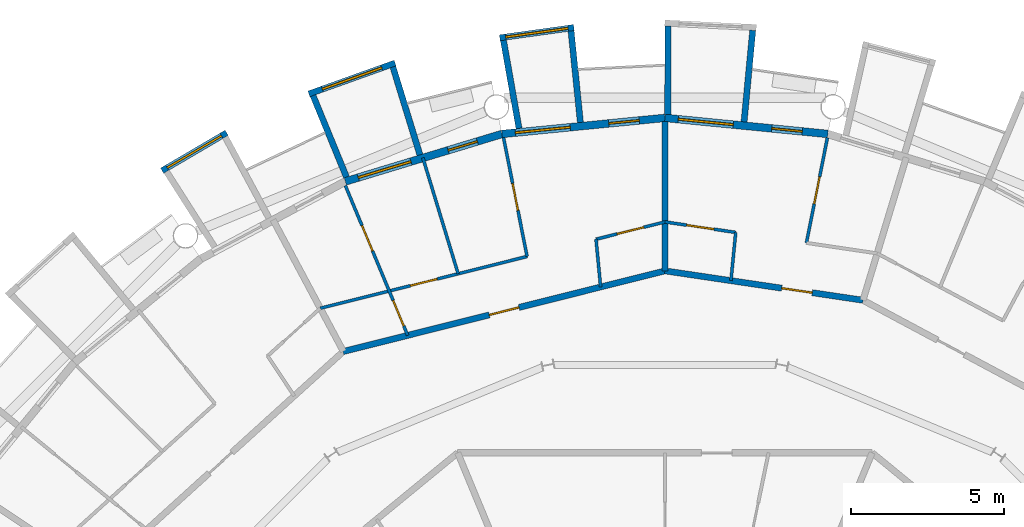
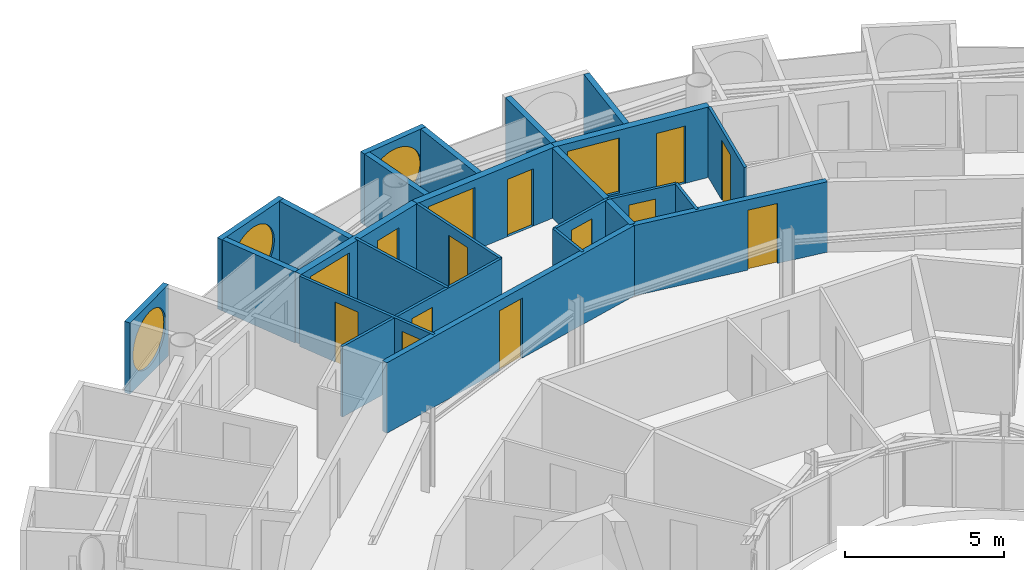
# One storey, part 22 of 29: 24 walls, 12 doors, 6 windows, 18 openings.
"""IFC4 building model written with IfcOpenShell, lengths in metres."""

from ifc_helpers import new_model, si_unit, direction, frame, frame_2d, origin, place, context, subcontext, project, spatial, rectangle, circle, extrude, material, layer, layer_set, type_object, element, fill, save


model = new_model("IFC4")

# Units and contexts
model_context = context("Model", 3, precision=1e-05, world=origin(), true_north=direction((0.0, 1.0)))
body_context = subcontext(model_context, "Body", "Model", "MODEL_VIEW")
ifc_project = project(units=[si_unit("LENGTHUNIT", "METRE"), si_unit("AREAUNIT", "SQUARE_METRE"), si_unit("VOLUMEUNIT", "CUBIC_METRE"), si_unit("PLANEANGLEUNIT", "RADIAN"), si_unit("MASSUNIT", "GRAM", prefix="KILO")], contexts=[model_context])

# Site, building, storey
site_placement = place(None, origin())
site = spatial("IfcSite", under=ifc_project, at=site_placement, CompositionType="ELEMENT")
building_placement = place(site_placement, origin())
building = spatial("IfcBuilding", under=site, at=building_placement, Name="Maasbend Ring Residences", CompositionType="ELEMENT")
storey_placement = place(building_placement, frame((0.0, 0.0, 215.75)))
storey = spatial("IfcBuildingStorey", under=building, at=storey_placement, Name="L62", CompositionType="ELEMENT", Elevation=215.75)

# Wall, opening, door
ifc_material_1 = material(Name="Concrete C30/37", Category="concrete")
ifc_layer_1 = layer(ifc_material_1, 0.199951171875)
ifc_layer_set_1 = layer_set([ifc_layer_1], Name="Concrete C30/37")
wall_type_1 = type_object("IfcWallType", Name="CORRIDOR WALL 200 CONCRETE", PredefinedType="PARTITIONING", material=ifc_layer_set_1)
wall_1_placement = place(storey_placement, frame((-10.52099609375, 19.662109375, 0.0), z_axis=(0.0, 0.0, 1.0), x_axis=(0.969975443945, 0.243202874456, 0.0)))
wall_1 = element("IfcWall", 1, at=wall_1_placement, inside=storey, type_object=wall_type_1, Name="U-L62-w111", PredefinedType="PARTITIONING", context=body_context, shape_type="SweptSolid", body=[
    extrude(rectangle(XDim=10.8466796875, YDim=0.199951171875, at=frame_2d((5.42333984375, 0.0))), origin(), (0.0, 0.0, 1.0), 2.699951171875),
])
opening_1_placement = place(wall_1_placement, frame((4.927978515625, 0.0, 0.0)))
opening_1 = element("IfcOpeningElement", 2, at=opening_1_placement, cuts=wall_1, Name="Opening D-6211", PredefinedType="OPENING", context=body_context, shape_type="SweptSolid", body=[
    extrude(rectangle(XDim=1.0, YDim=2.300048828125, at=frame_2d((0.5, 1.14990234375))), frame((0.0, 0.10986328125, 0.0), z_axis=(0.0, -1.0, 0.0), x_axis=(1.0, 0.0, 0.0)), (0.0, 0.0, 1.0), 0.219970703125),
])
ifc_material_2 = material(Name="Timber, fire-rated, painted", Category="wood")
door_type_1 = type_object("IfcDoorType", Name="FLAT ENTRANCE DOOR 1000 X 2300 FIRE-RATED", OperationType="NOTDEFINED", PredefinedType="DOOR", material=ifc_material_2)
door_1_placement = place(opening_1_placement, origin())
door_1 = element("IfcDoor", 3, at=door_1_placement, inside=storey, type_object=door_type_1, Name="D-6211", OperationType="SINGLE_SWING_RIGHT", OverallHeight=2.300048828125, OverallWidth=1.0, PredefinedType="DOOR", context=body_context, shape_type="SweptSolid", body=[
    extrude(rectangle(XDim=1.0, YDim=2.300048828125, at=frame_2d((0.5, 1.14990234375))), frame((0.0, 0.02490234375, 0.0), z_axis=(0.0, -1.0, 0.0), x_axis=(1.0, 0.0, 0.0)), (0.0, 0.0, 1.0), 0.050048828125),
])
fill(opening_1, door_1)

wall_2_placement = place(storey_placement, frame((0.0, 22.300048828125, 0.0), z_axis=(0.0, 0.0, 1.0), x_axis=(0.989181015112, -0.146700100005, 0.0)))
wall_2 = element("IfcWall", 4, at=wall_2_placement, inside=storey, type_object=wall_type_1, Name="U-L62-w115", PredefinedType="PARTITIONING", context=body_context, shape_type="SweptSolid", body=[
    extrude(rectangle(XDim=6.543701171875, YDim=0.199951171875, at=frame_2d((3.27197265625, 0.0))), origin(), (0.0, 0.0, 1.0), 2.699951171875),
])
opening_2_placement = place(wall_2_placement, frame((3.863037109375, 0.0, 0.0)))
opening_2 = element("IfcOpeningElement", 5, at=opening_2_placement, cuts=wall_2, Name="Opening D-6208", PredefinedType="OPENING", context=body_context, shape_type="SweptSolid", body=[
    extrude(rectangle(XDim=1.0, YDim=2.300048828125, at=frame_2d((0.5, 1.14990234375))), frame((0.0, 0.10986328125, 0.0), z_axis=(0.0, -1.0, 0.0), x_axis=(1.0, 0.0, 0.0)), (0.0, 0.0, 1.0), 0.219970703125),
])
door_2_placement = place(opening_2_placement, origin())
door_2 = element("IfcDoor", 6, at=door_2_placement, inside=storey, type_object=door_type_1, Name="D-6208", OperationType="SINGLE_SWING_RIGHT", OverallHeight=2.300048828125, OverallWidth=1.0, PredefinedType="DOOR", context=body_context, shape_type="SweptSolid", body=[
    extrude(rectangle(XDim=1.0, YDim=2.300048828125, at=frame_2d((0.5, 1.14990234375))), frame((0.0, 0.02490234375, 0.0), z_axis=(0.0, -1.0, 0.0), x_axis=(1.0, 0.0, 0.0)), (0.0, 0.0, 1.0), 0.050048828125),
])
fill(opening_2, door_2)

# Walls
ifc_material_3 = material(Name="Pale anodised aluminium panel", Category="aluminium")
ifc_layer_2 = layer(ifc_material_3, 0.199951171875)
ifc_layer_set_2 = layer_set([ifc_layer_2], Name="EW-BOX")
wall_type_2 = type_object("IfcWallType", Name="EW-BOX", PredefinedType="SOLIDWALL", material=ifc_layer_set_2)
wall_3_placement = place(storey_placement, frame((2.5859375, 27.1708984375, -0.030029296875), z_axis=(0.0, 0.0, 1.0), x_axis=(0.094548432284, 0.995520262954, 0.0)))
element("IfcWall", 7, at=wall_3_placement, inside=storey, type_object=wall_type_2, Name="Box side wall N10 left", PredefinedType="SOLIDWALL", context=body_context, shape_type="SweptSolid", body=[
    extrude(rectangle(XDim=3.005615234375, YDim=0.199951171875, at=frame_2d((1.5029296875, 0.0))), origin(), (0.0, 0.0, 1.0), 2.72998046875),
])
wall_4_placement = place(storey_placement, frame((0.090087890625, 27.4169921875, -0.030029296875), z_axis=(0.0, 0.0, 1.0), x_axis=(0.00347308367, 0.999993968827, 0.0)))
element("IfcWall", 8, at=wall_4_placement, inside=storey, type_object=wall_type_2, Name="Box side wall N10 right", PredefinedType="SOLIDWALL", context=body_context, shape_type="SweptSolid", body=[
    extrude(rectangle(XDim=2.882080078125, YDim=0.199951171875, at=frame_2d((1.44091796875, 0.0))), origin(), (0.0, 0.0, 1.0), 2.72998046875),
])

# Wall, opening, window
wall_5_placement = place(storey_placement, frame((-2.97607421875, 30.25390625, -0.030029296875), z_axis=(0.0, 0.0, 1.0), x_axis=(-0.990462016113, -0.137786046596, 0.0)))
wall_5 = element("IfcWall", 9, at=wall_5_placement, inside=storey, type_object=wall_type_2, Name="Box front N12", PredefinedType="SOLIDWALL", context=body_context, shape_type="SweptSolid", body=[
    extrude(rectangle(XDim=2.4453125, YDim=0.199951171875, at=frame_2d((1.22265625, 0.0))), origin(), (0.0, 0.0, 1.0), 2.72998046875),
])
opening_3_placement = place(wall_5_placement, frame((0.182861328125, 0.0, 0.330078125)))
opening_3 = element("IfcOpeningElement", 10, at=opening_3_placement, cuts=wall_5, Name="Opening W-RD", PredefinedType="OPENING", context=body_context, shape_type="SweptSolid", body=[
    extrude(circle(Radius=1.0400390625, at=frame_2d((1.0400390625, 1.0400390625))), frame((0.0, 0.10986328125, 0.0), z_axis=(0.0, -1.0, 0.0), x_axis=(1.0, 0.0, 0.0)), (0.0, 0.0, 1.0), 0.219970703125),
])
ifc_material_4 = material(Name="Aluminium and clear glass", Category="aluminium")
window_type_1 = type_object("IfcWindowType", Name="W-RD", PartitioningType="SINGLE_PANEL", PredefinedType="WINDOW", material=ifc_material_4)
window_1_placement = place(opening_3_placement, origin())
window_1 = element("IfcWindow", 11, at=window_1_placement, inside=storey, type_object=window_type_1, Name="Round window N12", OverallHeight=2.080078125, OverallWidth=2.080078125, PartitioningType="SINGLE_PANEL", PredefinedType="WINDOW", context=body_context, shape_type="SweptSolid", body=[
    extrude(circle(Radius=1.0400390625, at=frame_2d((1.0400390625, 1.0400390625))), frame((0.0, 0.030029296875, 0.0), z_axis=(0.0, -1.0, 0.0), x_axis=(1.0, 0.0, 0.0)), (0.0, 0.0, 1.0), 0.06005859375),
])
fill(opening_3, window_1)

# Walls
wall_6_placement = place(storey_placement, frame((-2.763916015625, 27.153076171875, -0.030029296875), z_axis=(0.0, 0.0, 1.0), x_axis=(-0.101505487237, 0.994834979311, 0.0)))
element("IfcWall", 12, at=wall_6_placement, inside=storey, type_object=wall_type_2, Name="Box side wall N12 left", PredefinedType="SOLIDWALL", context=body_context, shape_type="SweptSolid", body=[
    extrude(rectangle(XDim=3.006591796875, YDim=0.199951171875, at=frame_2d((1.50341796875, 0.0))), origin(), (0.0, 0.0, 1.0), 2.72998046875),
])
wall_7_placement = place(storey_placement, frame((-4.76904296875, 26.9560546875, -0.030029296875), z_axis=(0.0, 0.0, 1.0), x_axis=(-0.174056778901, 0.984735618183, 0.0)))
element("IfcWall", 13, at=wall_7_placement, inside=storey, type_object=wall_type_2, Name="Box side wall N12 right", PredefinedType="SOLIDWALL", context=body_context, shape_type="SweptSolid", body=[
    extrude(rectangle(XDim=2.924560546875, YDim=0.199951171875, at=frame_2d((1.46240234375, 0.0))), origin(), (0.0, 0.0, 1.0), 2.72998046875),
])

# Wall, opening, window
wall_8_placement = place(storey_placement, frame((-8.820068359375, 29.093017578125, -0.030029296875), z_axis=(0.0, 0.0, 1.0), x_axis=(-0.941461077774, -0.337121697664, 0.0)))
wall_8 = element("IfcWall", 14, at=wall_8_placement, inside=storey, type_object=wall_type_2, Name="Box front N14", PredefinedType="SOLIDWALL", context=body_context, shape_type="SweptSolid", body=[
    extrude(rectangle(XDim=2.9931640625, YDim=0.199951171875, at=frame_2d((1.49658203125, 0.0))), origin(), (0.0, 0.0, 1.0), 2.72998046875),
])
opening_4_placement = place(wall_8_placement, frame((0.45654296875, 0.0, 0.330078125)))
opening_4 = element("IfcOpeningElement", 15, at=opening_4_placement, cuts=wall_8, Name="Opening W-RD", PredefinedType="OPENING", context=body_context, shape_type="SweptSolid", body=[
    extrude(circle(Radius=1.0400390625, at=frame_2d((1.0400390625, 1.0400390625))), frame((0.0, 0.10986328125, 0.0), z_axis=(0.0, -1.0, 0.0), x_axis=(1.0, 0.0, 0.0)), (0.0, 0.0, 1.0), 0.219970703125),
])
window_2_placement = place(opening_4_placement, origin())
window_2 = element("IfcWindow", 16, at=window_2_placement, inside=storey, type_object=window_type_1, Name="Round window N14", OverallHeight=2.080078125, OverallWidth=2.080078125, PartitioningType="SINGLE_PANEL", PredefinedType="WINDOW", context=body_context, shape_type="SweptSolid", body=[
    extrude(circle(Radius=1.0400390625, at=frame_2d((1.0400390625, 1.0400390625))), frame((0.0, 0.030029296875, 0.0), z_axis=(0.0, -1.0, 0.0), x_axis=(1.0, 0.0, 0.0)), (0.0, 0.0, 1.0), 0.06005859375),
])
fill(opening_4, window_2)

# Walls
wall_9_placement = place(storey_placement, frame((-8.009033203125, 26.092041015625, -0.030029296875), z_axis=(0.0, 0.0, 1.0), x_axis=(-0.293406695073, 0.955987715029, 0.0)))
element("IfcWall", 17, at=wall_9_placement, inside=storey, type_object=wall_type_2, Name="Box side wall N14 left", PredefinedType="SOLIDWALL", context=body_context, shape_type="SweptSolid", body=[
    extrude(rectangle(XDim=3.00634765625, YDim=0.199951171875, at=frame_2d((1.503173828125, 0.0))), origin(), (0.0, 0.0, 1.0), 2.72998046875),
])
wall_10_placement = place(storey_placement, frame((-10.408935546875, 25.364013671875, -0.030029296875), z_axis=(0.0, 0.0, 1.0), x_axis=(-0.379509886562, 0.925187681501, 0.0)))
element("IfcWall", 18, at=wall_10_placement, inside=storey, type_object=wall_type_2, Name="Box side wall N14 right", PredefinedType="SOLIDWALL", context=body_context, shape_type="SweptSolid", body=[
    extrude(rectangle(XDim=2.882568359375, YDim=0.199951171875, at=frame_2d((1.44140625, 0.0))), origin(), (0.0, 0.0, 1.0), 2.72998046875),
])

# Wall, opening, window
wall_11_placement = place(storey_placement, frame((-14.326904296875, 26.81201171875, -0.030029296875), z_axis=(0.0, 0.0, 1.0), x_axis=(-0.862403467503, -0.506221551535, 0.0)))
wall_11 = element("IfcWall", 19, at=wall_11_placement, inside=storey, type_object=wall_type_2, Name="Box front N16", PredefinedType="SOLIDWALL", context=body_context, shape_type="SweptSolid", body=[
    extrude(rectangle(XDim=2.445556640625, YDim=0.199951171875, at=frame_2d((1.22265625, 0.0))), origin(), (0.0, 0.0, 1.0), 2.72998046875),
])
opening_5_placement = place(wall_11_placement, frame((0.182861328125, 0.0, 0.330078125)))
opening_5 = element("IfcOpeningElement", 20, at=opening_5_placement, cuts=wall_11, Name="Opening W-RD", PredefinedType="OPENING", context=body_context, shape_type="SweptSolid", body=[
    extrude(circle(Radius=1.0400390625, at=frame_2d((1.0400390625, 1.0400390625))), frame((0.0, 0.10986328125, 0.0), z_axis=(0.0, -1.0, 0.0), x_axis=(1.0, 0.0, 0.0)), (0.0, 0.0, 1.0), 0.219970703125),
])
window_3_placement = place(opening_5_placement, origin())
window_3 = element("IfcWindow", 21, at=window_3_placement, inside=storey, type_object=window_type_1, Name="Round window N16", OverallHeight=2.080078125, OverallWidth=2.080078125, PartitioningType="SINGLE_PANEL", PredefinedType="WINDOW", context=body_context, shape_type="SweptSolid", body=[
    extrude(circle(Radius=1.0400390625, at=frame_2d((1.0400390625, 1.0400390625))), frame((0.0, 0.030029296875, 0.0), z_axis=(0.0, -1.0, 0.0), x_axis=(1.0, 0.0, 0.0)), (0.0, 0.0, 1.0), 0.06005859375),
])
fill(opening_5, window_3)

# Wall, openings, door, window
ifc_material_5 = material(Name="Aluminium clad insulated panel", Category="aluminium")
ifc_layer_3 = layer(ifc_material_5, 0.25)
ifc_layer_set_3 = layer_set([ifc_layer_3], Name="EW-GL")
wall_type_3 = type_object("IfcWallType", Name="EW-GL", PredefinedType="SOLIDWALL", material=ifc_layer_set_3)
wall_12_placement = place(storey_placement, frame((5.325927734375, 26.77490234375, 0.0), z_axis=(0.0, 0.0, 1.0), x_axis=(-0.995173996315, 0.098126026407, 0.0)))
wall_12 = element("IfcWall", 22, at=wall_12_placement, inside=storey, type_object=wall_type_3, Name="External wall N05", PredefinedType="SOLIDWALL", context=body_context, shape_type="SweptSolid", body=[
    extrude(rectangle(XDim=5.351806640625, YDim=0.25, at=frame_2d((2.67578125, 0.0))), origin(), (0.0, 0.0, 1.0), 2.699951171875),
])
opening_6_placement = place(wall_12_placement, frame((0.841064453125, 0.0, 0.0)))
opening_6 = element("IfcOpeningElement", 23, at=opening_6_placement, cuts=wall_12, Name="Opening D-LG", PredefinedType="OPENING", context=body_context, shape_type="SweptSolid", body=[
    extrude(rectangle(XDim=1.0, YDim=2.199951171875, at=frame_2d((0.5, 1.10009765625))), frame((0.0, 0.135009765625, 0.0), z_axis=(0.0, -1.0, 0.0), x_axis=(1.0, 0.0, 0.0)), (0.0, 0.0, 1.0), 0.27001953125),
])
opening_7_placement = place(wall_12_placement, frame((3.110595703125, 0.0, 0.300048828125)))
opening_7 = element("IfcOpeningElement", 24, at=opening_7_placement, cuts=wall_12, Name="Opening W-BX", PredefinedType="OPENING", context=body_context, shape_type="SweptSolid", body=[
    extrude(rectangle(XDim=1.800048828125, YDim=2.10009765625, at=frame_2d((0.89990234375, 1.050048828125))), frame((0.0, 0.135009765625, 0.0), z_axis=(0.0, -1.0, 0.0), x_axis=(1.0, 0.0, 0.0)), (0.0, 0.0, 1.0), 0.27001953125),
])
ifc_material_6 = material(Name="Aluminium and clear glass", Category="aluminium")
door_type_2 = type_object("IfcDoorType", Name="D-LG", OperationType="SINGLE_SWING_LEFT", PredefinedType="DOOR", material=ifc_material_6)
door_3_placement = place(opening_6_placement, origin())
door_3 = element("IfcDoor", 25, at=door_3_placement, inside=storey, type_object=door_type_2, Name="Loggia door N09", OperationType="SINGLE_SWING_LEFT", OverallHeight=2.199951171875, OverallWidth=1.0, PredefinedType="DOOR", context=body_context, shape_type="SweptSolid", body=[
    extrude(rectangle(XDim=1.0, YDim=2.199951171875, at=frame_2d((0.5, 1.10009765625))), frame((0.0, 0.02490234375, 0.0), z_axis=(0.0, -1.0, 0.0), x_axis=(1.0, 0.0, 0.0)), (0.0, 0.0, 1.0), 0.050048828125),
])
fill(opening_6, door_3)
ifc_material_7 = material(Name="Aluminium and clear glass", Category="aluminium")
window_type_2 = type_object("IfcWindowType", Name="W-BX", PartitioningType="DOUBLE_PANEL_VERTICAL", PredefinedType="WINDOW", material=ifc_material_7)
window_4_placement = place(opening_7_placement, origin())
window_4 = element("IfcWindow", 26, at=window_4_placement, inside=storey, type_object=window_type_2, Name="Window N10 room to box", OverallHeight=2.10009765625, OverallWidth=1.800048828125, PartitioningType="SINGLE_PANEL", PredefinedType="WINDOW", context=body_context, shape_type="SweptSolid", body=[
    extrude(rectangle(XDim=1.800048828125, YDim=2.10009765625, at=frame_2d((0.89990234375, 1.050048828125))), frame((0.0, 0.030029296875, 0.0), z_axis=(0.0, -1.0, 0.0), x_axis=(1.0, 0.0, 0.0)), (0.0, 0.0, 1.0), 0.06005859375),
])
fill(opening_7, window_4)

wall_13_placement = place(storey_placement, frame((0.0, 27.300048828125, 0.0), z_axis=(0.0, 0.0, 1.0), x_axis=(-0.995173996315, -0.098126026407, 0.0)))
wall_13 = element("IfcWall", 27, at=wall_13_placement, inside=storey, type_object=wall_type_3, Name="External wall N06", PredefinedType="SOLIDWALL", context=body_context, shape_type="SweptSolid", body=[
    extrude(rectangle(XDim=5.351806640625, YDim=0.25, at=frame_2d((2.67578125, 0.0))), origin(), (0.0, 0.0, 1.0), 2.699951171875),
])
opening_8_placement = place(wall_13_placement, frame((0.841064453125, 0.0, 0.0)))
opening_8 = element("IfcOpeningElement", 28, at=opening_8_placement, cuts=wall_13, Name="Opening D-LG", PredefinedType="OPENING", context=body_context, shape_type="SweptSolid", body=[
    extrude(rectangle(XDim=1.0, YDim=2.199951171875, at=frame_2d((0.5, 1.10009765625))), frame((0.0, 0.135009765625, 0.0), z_axis=(0.0, -1.0, 0.0), x_axis=(1.0, 0.0, 0.0)), (0.0, 0.0, 1.0), 0.27001953125),
])
opening_9_placement = place(wall_13_placement, frame((3.110595703125, 0.0, 0.300048828125)))
opening_9 = element("IfcOpeningElement", 29, at=opening_9_placement, cuts=wall_13, Name="Opening W-BX", PredefinedType="OPENING", context=body_context, shape_type="SweptSolid", body=[
    extrude(rectangle(XDim=1.800048828125, YDim=2.10009765625, at=frame_2d((0.89990234375, 1.050048828125))), frame((0.0, 0.135009765625, 0.0), z_axis=(0.0, -1.0, 0.0), x_axis=(1.0, 0.0, 0.0)), (0.0, 0.0, 1.0), 0.27001953125),
])
door_4_placement = place(opening_8_placement, origin())
door_4 = element("IfcDoor", 30, at=door_4_placement, inside=storey, type_object=door_type_2, Name="Loggia door N11", OperationType="SINGLE_SWING_LEFT", OverallHeight=2.199951171875, OverallWidth=1.0, PredefinedType="DOOR", context=body_context, shape_type="SweptSolid", body=[
    extrude(rectangle(XDim=1.0, YDim=2.199951171875, at=frame_2d((0.5, 1.10009765625))), frame((0.0, 0.02490234375, 0.0), z_axis=(0.0, -1.0, 0.0), x_axis=(1.0, 0.0, 0.0)), (0.0, 0.0, 1.0), 0.050048828125),
])
fill(opening_8, door_4)
window_5_placement = place(opening_9_placement, origin())
window_5 = element("IfcWindow", 31, at=window_5_placement, inside=storey, type_object=window_type_2, Name="Window N12 room to box", OverallHeight=2.10009765625, OverallWidth=1.800048828125, PartitioningType="SINGLE_PANEL", PredefinedType="WINDOW", context=body_context, shape_type="SweptSolid", body=[
    extrude(rectangle(XDim=1.800048828125, YDim=2.10009765625, at=frame_2d((0.89990234375, 1.050048828125))), frame((0.0, 0.030029296875, 0.0), z_axis=(0.0, -1.0, 0.0), x_axis=(1.0, 0.0, 0.0)), (0.0, 0.0, 1.0), 0.06005859375),
])
fill(opening_9, window_5)

wall_14_placement = place(storey_placement, frame((-5.325927734375, 26.77490234375, 0.0), z_axis=(0.0, 0.0, 1.0), x_axis=(-0.956965678721, -0.290201119486, 0.0)))
wall_14 = element("IfcWall", 32, at=wall_14_placement, inside=storey, type_object=wall_type_3, Name="External wall N07", PredefinedType="SOLIDWALL", context=body_context, shape_type="SweptSolid", body=[
    extrude(rectangle(XDim=5.351318359375, YDim=0.25, at=frame_2d((2.67578125, 0.0))), origin(), (0.0, 0.0, 1.0), 2.699951171875),
])
opening_10_placement = place(wall_14_placement, frame((0.841064453125, 0.0, 0.0)))
opening_10 = element("IfcOpeningElement", 33, at=opening_10_placement, cuts=wall_14, Name="Opening D-LG", PredefinedType="OPENING", context=body_context, shape_type="SweptSolid", body=[
    extrude(rectangle(XDim=1.0, YDim=2.199951171875, at=frame_2d((0.5, 1.10009765625))), frame((0.0, 0.135009765625, 0.0), z_axis=(0.0, -1.0, 0.0), x_axis=(1.0, 0.0, 0.0)), (0.0, 0.0, 1.0), 0.27001953125),
])
opening_11_placement = place(wall_14_placement, frame((3.110595703125, 0.0, 0.300048828125)))
opening_11 = element("IfcOpeningElement", 34, at=opening_11_placement, cuts=wall_14, Name="Opening W-BX", PredefinedType="OPENING", context=body_context, shape_type="SweptSolid", body=[
    extrude(rectangle(XDim=1.800048828125, YDim=2.10009765625, at=frame_2d((0.89990234375, 1.050048828125))), frame((0.0, 0.135009765625, 0.0), z_axis=(0.0, -1.0, 0.0), x_axis=(1.0, 0.0, 0.0)), (0.0, 0.0, 1.0), 0.27001953125),
])
door_5_placement = place(opening_10_placement, origin())
door_5 = element("IfcDoor", 35, at=door_5_placement, inside=storey, type_object=door_type_2, Name="Loggia door N13", OperationType="SINGLE_SWING_LEFT", OverallHeight=2.199951171875, OverallWidth=1.0, PredefinedType="DOOR", context=body_context, shape_type="SweptSolid", body=[
    extrude(rectangle(XDim=1.0, YDim=2.199951171875, at=frame_2d((0.5, 1.10009765625))), frame((0.0, 0.02490234375, 0.0), z_axis=(0.0, -1.0, 0.0), x_axis=(1.0, 0.0, 0.0)), (0.0, 0.0, 1.0), 0.050048828125),
])
fill(opening_10, door_5)
window_6_placement = place(opening_11_placement, origin())
window_6 = element("IfcWindow", 36, at=window_6_placement, inside=storey, type_object=window_type_2, Name="Window N14 room to box", OverallHeight=2.10009765625, OverallWidth=1.800048828125, PartitioningType="SINGLE_PANEL", PredefinedType="WINDOW", context=body_context, shape_type="SweptSolid", body=[
    extrude(rectangle(XDim=1.800048828125, YDim=2.10009765625, at=frame_2d((0.89990234375, 1.050048828125))), frame((0.0, 0.030029296875, 0.0), z_axis=(0.0, -1.0, 0.0), x_axis=(1.0, 0.0, 0.0)), (0.0, 0.0, 1.0), 0.06005859375),
])
fill(opening_11, window_6)

# Wall, openings, doors
ifc_material_8 = material(Name="Gypsum board on steel studs", Category="steel")
ifc_layer_4 = layer(ifc_material_8, 0.10009765625)
ifc_layer_set_4 = layer_set([ifc_layer_4], Name="PARTITION 100 GYPSUM")
wall_type_4 = type_object("IfcWallType", Name="PARTITION 100 GYPSUM", PredefinedType="PARTITIONING", material=ifc_layer_set_4)
wall_15_placement = place(storey_placement, frame((-10.446044921875, 25.0859375, 0.0), z_axis=(0.0, 0.0, 1.0), x_axis=(0.38420646001, -0.923247202046, 0.0)))
wall_15 = element("IfcWall", 37, at=wall_15_placement, inside=storey, type_object=wall_type_4, Name="U-L62-w034", PredefinedType="PARTITIONING", context=body_context, shape_type="SweptSolid", body=[
    extrude(rectangle(XDim=5.299560546875, YDim=0.10009765625, at=frame_2d((2.64990234375, 0.0))), origin(), (0.0, 0.0, 1.0), 2.699951171875),
])
opening_12_placement = place(wall_15_placement, frame((4.06494140625, 0.0, 0.0)))
opening_12 = element("IfcOpeningElement", 38, at=opening_12_placement, cuts=wall_15, Name="Opening D-6213", PredefinedType="OPENING", context=body_context, shape_type="SweptSolid", body=[
    extrude(rectangle(XDim=0.89990234375, YDim=2.300048828125, at=frame_2d((0.449951171875, 1.14990234375))), frame((0.0, 0.06005859375, 0.0), z_axis=(0.0, -1.0, 0.0), x_axis=(1.0, 0.0, 0.0)), (0.0, 0.0, 1.0), 0.1201171875),
])
opening_13_placement = place(wall_15_placement, frame((1.4150390625, 0.0, 0.0)))
opening_13 = element("IfcOpeningElement", 39, at=opening_13_placement, cuts=wall_15, Name="Opening D-6216", PredefinedType="OPENING", context=body_context, shape_type="SweptSolid", body=[
    extrude(rectangle(XDim=0.89990234375, YDim=2.300048828125, at=frame_2d((0.449951171875, 1.14990234375))), frame((0.0, 0.06005859375, 0.0), z_axis=(0.0, -1.0, 0.0), x_axis=(1.0, 0.0, 0.0)), (0.0, 0.0, 1.0), 0.1201171875),
])
ifc_material_9 = material(Name="Timber, painted", Category="wood")
door_type_3 = type_object("IfcDoorType", Name="INTERNAL DOOR 900 X 2300", OperationType="NOTDEFINED", PredefinedType="DOOR", material=ifc_material_9)
door_6_placement = place(opening_12_placement, origin())
door_6 = element("IfcDoor", 40, at=door_6_placement, inside=storey, type_object=door_type_3, Name="D-6213", OperationType="SINGLE_SWING_RIGHT", OverallHeight=2.300048828125, OverallWidth=0.89990234375, PredefinedType="DOOR", context=body_context, shape_type="SweptSolid", body=[
    extrude(rectangle(XDim=0.89990234375, YDim=2.300048828125, at=frame_2d((0.449951171875, 1.14990234375))), frame((0.0, 0.02490234375, 0.0), z_axis=(0.0, -1.0, 0.0), x_axis=(1.0, 0.0, 0.0)), (0.0, 0.0, 1.0), 0.050048828125),
])
fill(opening_12, door_6)
door_7_placement = place(opening_13_placement, origin())
door_7 = element("IfcDoor", 41, at=door_7_placement, inside=storey, type_object=door_type_3, Name="D-6216", OperationType="SINGLE_SWING_LEFT", OverallHeight=2.300048828125, OverallWidth=0.89990234375, PredefinedType="DOOR", context=body_context, shape_type="SweptSolid", body=[
    extrude(rectangle(XDim=0.89990234375, YDim=2.300048828125, at=frame_2d((0.449951171875, 1.14990234375))), frame((0.0, 0.02490234375, 0.0), z_axis=(0.0, -1.0, 0.0), x_axis=(1.0, 0.0, 0.0)), (0.0, 0.0, 1.0), 0.050048828125),
])
fill(opening_13, door_7)

# Wall
wall_16_placement = place(storey_placement, frame((-7.9140625, 25.9970703125, 0.0), z_axis=(0.0, 0.0, 1.0), x_axis=(0.291291575636, -0.956634317785, 0.0)))
element("IfcWall", 42, at=wall_16_placement, inside=storey, type_object=wall_type_4, Name="U-L62-w054", PredefinedType="PARTITIONING", context=body_context, shape_type="SweptSolid", body=[
    extrude(rectangle(XDim=3.9619140625, YDim=0.10009765625, at=frame_2d((1.98095703125, 0.0))), origin(), (0.0, 0.0, 1.0), 2.699951171875),
])

# Wall, opening, door
wall_17_placement = place(storey_placement, frame((-5.27587890625, 26.657958984375, 0.0), z_axis=(0.0, 0.0, 1.0), x_axis=(0.194030211642, -0.980995554001, 0.0)))
wall_17 = element("IfcWall", 43, at=wall_17_placement, inside=storey, type_object=wall_type_4, Name="U-L62-w059", PredefinedType="PARTITIONING", context=body_context, shape_type="SweptSolid", body=[
    extrude(rectangle(XDim=3.962158203125, YDim=0.10009765625, at=frame_2d((1.98095703125, 0.0))), origin(), (0.0, 0.0, 1.0), 2.699951171875),
])
opening_14_placement = place(wall_17_placement, frame((1.531005859375, 0.0, 0.0)))
opening_14 = element("IfcOpeningElement", 44, at=opening_14_placement, cuts=wall_17, Name="Opening D-6214", PredefinedType="OPENING", context=body_context, shape_type="SweptSolid", body=[
    extrude(rectangle(XDim=0.89990234375, YDim=2.300048828125, at=frame_2d((0.449951171875, 1.14990234375))), frame((0.0, 0.06005859375, 0.0), z_axis=(0.0, -1.0, 0.0), x_axis=(1.0, 0.0, 0.0)), (0.0, 0.0, 1.0), 0.1201171875),
])
door_8_placement = place(opening_14_placement, origin())
door_8 = element("IfcDoor", 45, at=door_8_placement, inside=storey, type_object=door_type_3, Name="D-6214", OperationType="SINGLE_SWING_LEFT", OverallHeight=2.300048828125, OverallWidth=0.89990234375, PredefinedType="DOOR", context=body_context, shape_type="SweptSolid", body=[
    extrude(rectangle(XDim=0.89990234375, YDim=2.300048828125, at=frame_2d((0.449951171875, 1.14990234375))), frame((0.0, 0.02490234375, 0.0), z_axis=(0.0, -1.0, 0.0), x_axis=(1.0, 0.0, 0.0)), (0.0, 0.0, 1.0), 0.050048828125),
])
fill(opening_14, door_8)

# Walls
wall_18_placement = place(storey_placement, frame((-2.2529296875, 23.3359375, 0.0), z_axis=(0.0, 0.0, 1.0), x_axis=(0.09608568494, -0.995373066317, 0.0)))
element("IfcWall", 46, at=wall_18_placement, inside=storey, type_object=wall_type_4, Name="U-L62-w062", PredefinedType="PARTITIONING", context=body_context, shape_type="SweptSolid", body=[
    extrude(rectangle(XDim=1.5703125, YDim=0.10009765625, at=frame_2d((0.78515625, 0.0))), origin(), (0.0, 0.0, 1.0), 2.699951171875),
])
wall_19_placement = place(storey_placement, frame((2.157958984375, 21.97998046875, 0.0), z_axis=(0.0, 0.0, 1.0), x_axis=(0.097840737576, 0.995202085041, 0.0)))
element("IfcWall", 47, at=wall_19_placement, inside=storey, type_object=wall_type_4, Name="U-L62-w069", PredefinedType="PARTITIONING", context=body_context, shape_type="SweptSolid", body=[
    extrude(rectangle(XDim=1.58447265625, YDim=0.10009765625, at=frame_2d((0.792236328125, 0.0))), origin(), (0.0, 0.0, 1.0), 2.699951171875),
])

# Wall, opening, door
wall_20_placement = place(storey_placement, frame((4.625, 23.214111328125, 0.0), z_axis=(0.0, 0.0, 1.0), x_axis=(0.195486409601, 0.980706410533, 0.0)))
wall_20 = element("IfcWall", 48, at=wall_20_placement, inside=storey, type_object=wall_type_4, Name="U-L62-w076", PredefinedType="PARTITIONING", context=body_context, shape_type="SweptSolid", body=[
    extrude(rectangle(XDim=3.50439453125, YDim=0.10009765625, at=frame_2d((1.752197265625, 0.0))), origin(), (0.0, 0.0, 1.0), 2.699951171875),
])
opening_15_placement = place(wall_20_placement, frame((1.302001953125, 0.0, 0.0)))
opening_15 = element("IfcOpeningElement", 49, at=opening_15_placement, cuts=wall_20, Name="Opening D-6210", PredefinedType="OPENING", context=body_context, shape_type="SweptSolid", body=[
    extrude(rectangle(XDim=0.89990234375, YDim=2.300048828125, at=frame_2d((0.449951171875, 1.14990234375))), frame((0.0, 0.06005859375, 0.0), z_axis=(0.0, -1.0, 0.0), x_axis=(1.0, 0.0, 0.0)), (0.0, 0.0, 1.0), 0.1201171875),
])
door_9_placement = place(opening_15_placement, origin())
door_9 = element("IfcDoor", 50, at=door_9_placement, inside=storey, type_object=door_type_3, Name="D-6210", OperationType="SINGLE_SWING_LEFT", OverallHeight=2.300048828125, OverallWidth=0.89990234375, PredefinedType="DOOR", context=body_context, shape_type="SweptSolid", body=[
    extrude(rectangle(XDim=0.89990234375, YDim=2.300048828125, at=frame_2d((0.449951171875, 1.14990234375))), frame((0.0, 0.02490234375, 0.0), z_axis=(0.0, -1.0, 0.0), x_axis=(1.0, 0.0, 0.0)), (0.0, 0.0, 1.0), 0.050048828125),
])
fill(opening_15, door_9)

wall_21_placement = place(storey_placement, frame((-11.26611328125, 21.077880859375, 0.0), z_axis=(0.0, 0.0, 1.0), x_axis=(0.970072433546, 0.242815719578, 0.0)))
wall_21 = element("IfcWall", 51, at=wall_21_placement, inside=storey, type_object=wall_type_4, Name="U-L62-w121", PredefinedType="PARTITIONING", context=body_context, shape_type="SweptSolid", body=[
    extrude(rectangle(XDim=6.972900390625, YDim=0.10009765625, at=frame_2d((3.486328125, 0.0))), origin(), (0.0, 0.0, 1.0), 2.699951171875),
])
opening_16_placement = place(wall_21_placement, frame((3.035888671875, 0.0, 0.0)))
opening_16 = element("IfcOpeningElement", 52, at=opening_16_placement, cuts=wall_21, Name="Opening D-6215", PredefinedType="OPENING", context=body_context, shape_type="SweptSolid", body=[
    extrude(rectangle(XDim=0.89990234375, YDim=2.300048828125, at=frame_2d((0.449951171875, 1.14990234375))), frame((0.0, 0.06005859375, 0.0), z_axis=(0.0, -1.0, 0.0), x_axis=(1.0, 0.0, 0.0)), (0.0, 0.0, 1.0), 0.1201171875),
])
door_10_placement = place(opening_16_placement, origin())
door_10 = element("IfcDoor", 53, at=door_10_placement, inside=storey, type_object=door_type_3, Name="D-6215", OperationType="SINGLE_SWING_LEFT", OverallHeight=2.300048828125, OverallWidth=0.89990234375, PredefinedType="DOOR", context=body_context, shape_type="SweptSolid", body=[
    extrude(rectangle(XDim=0.89990234375, YDim=2.300048828125, at=frame_2d((0.449951171875, 1.14990234375))), frame((0.0, 0.02490234375, 0.0), z_axis=(0.0, -1.0, 0.0), x_axis=(1.0, 0.0, 0.0)), (0.0, 0.0, 1.0), 0.050048828125),
])
fill(opening_16, door_10)

wall_22_placement = place(storey_placement, frame((-2.2529296875, 23.333984375, 0.0), z_axis=(0.0, 0.0, 1.0), x_axis=(0.970068250789, 0.242832429489, 0.0)))
wall_22 = element("IfcWall", 54, at=wall_22_placement, inside=storey, type_object=wall_type_4, Name="U-L62-w122", PredefinedType="PARTITIONING", context=body_context, shape_type="SweptSolid", body=[
    extrude(rectangle(XDim=2.322509765625, YDim=0.10009765625, at=frame_2d((1.1611328125, 0.0))), origin(), (0.0, 0.0, 1.0), 2.699951171875),
])
opening_17_placement = place(wall_22_placement, frame((0.7119140625, 0.0, 0.0)))
opening_17 = element("IfcOpeningElement", 55, at=opening_17_placement, cuts=wall_22, Name="Opening D-6212", PredefinedType="OPENING", context=body_context, shape_type="SweptSolid", body=[
    extrude(rectangle(XDim=0.89990234375, YDim=2.300048828125, at=frame_2d((0.449951171875, 1.14990234375))), frame((0.0, 0.06005859375, 0.0), z_axis=(0.0, -1.0, 0.0), x_axis=(1.0, 0.0, 0.0)), (0.0, 0.0, 1.0), 0.1201171875),
])
door_11_placement = place(opening_17_placement, origin())
door_11 = element("IfcDoor", 56, at=door_11_placement, inside=storey, type_object=door_type_3, Name="D-6212", OperationType="SINGLE_SWING_RIGHT", OverallHeight=2.300048828125, OverallWidth=0.89990234375, PredefinedType="DOOR", context=body_context, shape_type="SweptSolid", body=[
    extrude(rectangle(XDim=0.89990234375, YDim=2.300048828125, at=frame_2d((0.449951171875, 1.14990234375))), frame((0.0, 0.02490234375, 0.0), z_axis=(0.0, -1.0, 0.0), x_axis=(1.0, 0.0, 0.0)), (0.0, 0.0, 1.0), 0.050048828125),
])
fill(opening_17, door_11)

wall_23_placement = place(storey_placement, frame((0.0, 23.89990234375, 0.0), z_axis=(0.0, 0.0, 1.0), x_axis=(0.989181588285, -0.146696235121, 0.0)))
wall_23 = element("IfcWall", 57, at=wall_23_placement, inside=storey, type_object=wall_type_4, Name="U-L62-w125", PredefinedType="PARTITIONING", context=body_context, shape_type="SweptSolid", body=[
    extrude(rectangle(XDim=2.33837890625, YDim=0.10009765625, at=frame_2d((1.169189453125, 0.0))), origin(), (0.0, 0.0, 1.0), 2.699951171875),
])
opening_18_placement = place(wall_23_placement, frame((0.718994140625, 0.0, 0.0)))
opening_18 = element("IfcOpeningElement", 58, at=opening_18_placement, cuts=wall_23, Name="Opening D-6209", PredefinedType="OPENING", context=body_context, shape_type="SweptSolid", body=[
    extrude(rectangle(XDim=0.89990234375, YDim=2.300048828125, at=frame_2d((0.449951171875, 1.14990234375))), frame((0.0, 0.06005859375, 0.0), z_axis=(0.0, -1.0, 0.0), x_axis=(1.0, 0.0, 0.0)), (0.0, 0.0, 1.0), 0.1201171875),
])
door_12_placement = place(opening_18_placement, origin())
door_12 = element("IfcDoor", 59, at=door_12_placement, inside=storey, type_object=door_type_3, Name="D-6209", OperationType="SINGLE_SWING_RIGHT", OverallHeight=2.300048828125, OverallWidth=0.89990234375, PredefinedType="DOOR", context=body_context, shape_type="SweptSolid", body=[
    extrude(rectangle(XDim=0.89990234375, YDim=2.300048828125, at=frame_2d((0.449951171875, 1.14990234375))), frame((0.0, 0.02490234375, 0.0), z_axis=(0.0, -1.0, 0.0), x_axis=(1.0, 0.0, 0.0)), (0.0, 0.0, 1.0), 0.050048828125),
])
fill(opening_18, door_12)

# Wall
ifc_material_10 = material(Name="Concrete C30/37", Category="concrete")
ifc_layer_5 = layer(ifc_material_10, 0.199951171875)
ifc_layer_set_5 = layer_set([ifc_layer_5], Name="Concrete C30/37")
wall_type_5 = type_object("IfcWallType", Name="PARTY WALL 200 CONCRETE", PredefinedType="PARTITIONING", material=ifc_layer_set_5)
wall_24_placement = place(storey_placement, frame((0.0, 22.300048828125, 0.0), z_axis=(0.0, 0.0, 1.0), x_axis=(0.0, 1.0, 0.0)))
element("IfcWall", 60, at=wall_24_placement, inside=storey, type_object=wall_type_5, Name="U-L62-w066", PredefinedType="PARTITIONING", context=body_context, shape_type="SweptSolid", body=[
    extrude(rectangle(XDim=4.875, YDim=0.199951171875, at=frame_2d((2.4375, 0.0))), origin(), (0.0, 0.0, 1.0), 2.699951171875),
])

save(model, "model.ifc")
